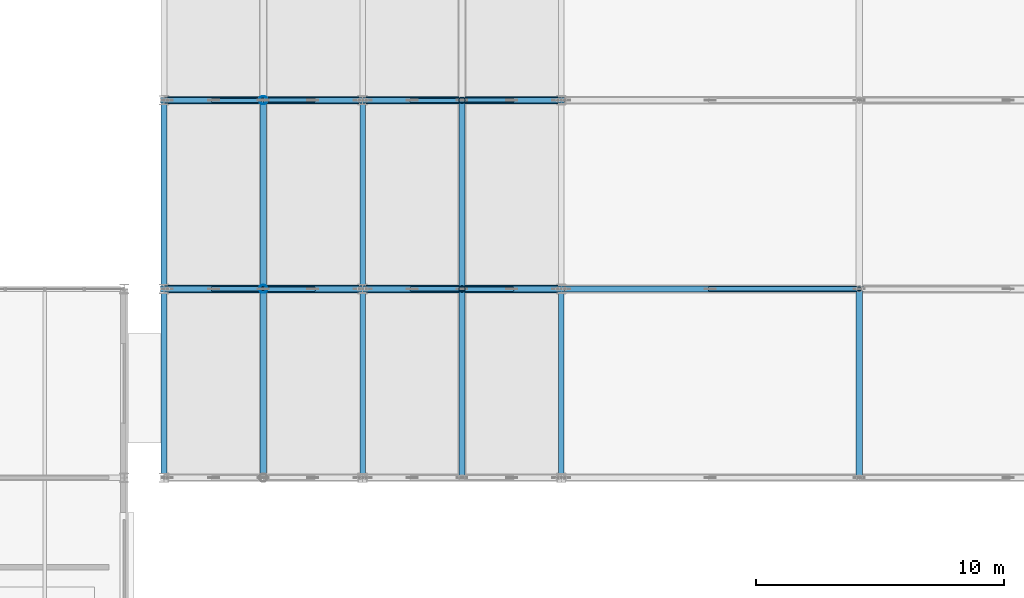
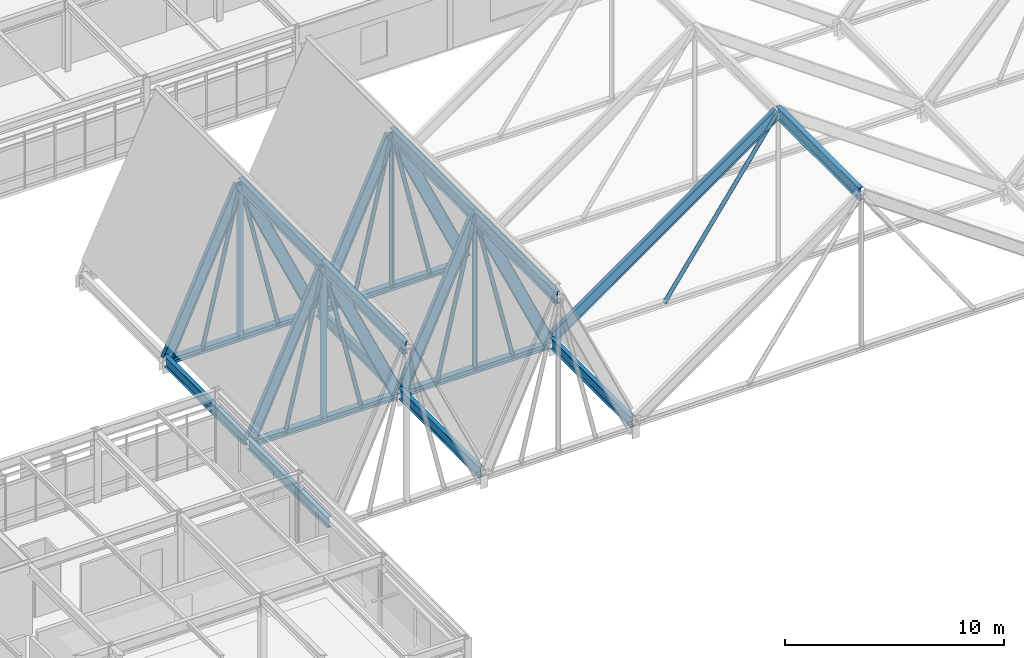
# One storey, part 38 of 85: 19 beams, 17 members.
"""IFC4 building model written with IfcOpenShell, lengths in metres."""

from ifc_helpers import new_model, si_unit, direction, frame, origin, origin_2d, place, context, subcontext, project, spatial, hollow_circle, i_section, extrude, material, material_profile, profile_set, type_object, element, save


model = new_model("IFC4")

# Units and contexts
model_context = context("Model", 3, precision=1e-05, world=origin(), true_north=direction((0.0, 1.0)))
body_context = subcontext(model_context, "Body", "Model", "MODEL_VIEW")
ifc_project = project(units=[si_unit("LENGTHUNIT", "METRE"), si_unit("AREAUNIT", "SQUARE_METRE"), si_unit("VOLUMEUNIT", "CUBIC_METRE"), si_unit("PLANEANGLEUNIT", "RADIAN"), si_unit("MASSUNIT", "GRAM", prefix="KILO")], contexts=[model_context])

# Site, building, storey
site_placement = place(None, origin())
site = spatial("IfcSite", under=ifc_project, at=site_placement, CompositionType="ELEMENT")
building_placement = place(site_placement, origin())
building = spatial("IfcBuilding", under=site, at=building_placement, Name="Zulena Civic Courthouse", CompositionType="ELEMENT")
storey_placement = place(building_placement, frame((0.0, 0.0, 25.199951171875)))
storey = spatial("IfcBuildingStorey", under=building, at=storey_placement, Name="L05", CompositionType="ELEMENT", Elevation=25.199951171875)

# Members
ifc_material_1 = material(Name="Steel ASTM A992 Grade 50", Category="steel")
ifc_material_profile_1 = material_profile(ifc_material_1, i_section(OverallWidth=0.30908203125, OverallDepth=0.322998046875, WebThickness=0.013916015625, FlangeThickness=0.02294921875, FilletRadius=0.01513671875, at=origin_2d()), Name="W12X96")
ifc_profile_set_1 = profile_set([ifc_material_profile_1], Name="Steel ASTM A992 Grade 50")
member_type_1 = type_object("IfcMemberType", Name="Chord_W12X96", PredefinedType="CHORD", material=ifc_profile_set_1)
for number, where, z_axis, x_axis, name in (
    (1, (68.139892578125, 22.800048828125, 0.343017578125), (1.0, 0.0, 0.0), (0.0, 1.0, 0.0), "mem:fold:tie:01:22.8"),
    (2, (68.139892578125, 30.39990234375, 0.343017578125), (1.0, 0.0, 0.0), (0.0, 1.0, 0.0), "mem:fold:tie:01:30.4"),
    (3, (76.139892578125, 22.800048828125, 0.343017578125), (1.0, 0.0, 0.0), (0.0, 1.0, 0.0), "mem:fold:tie:02:22.8"),
    (4, (76.139892578125, 30.39990234375, 0.343017578125), (1.0, 0.0, 0.0), (0.0, 1.0, 0.0), "mem:fold:tie:02:30.4"),
):
    element("IfcMember", number, at=place(storey_placement, frame(where, z_axis=z_axis, x_axis=x_axis)), inside=storey, type_object=member_type_1, Name=name, PredefinedType="CHORD", context=body_context, shape_type="SweptSolid", body=[
        extrude(i_section(OverallWidth=0.30908203125, OverallDepth=0.322998046875, WebThickness=0.013916015625, FlangeThickness=0.02294921875, FilletRadius=0.01513671875, at=origin_2d()), origin(), (0.0, 0.0, 1.0), 7.72021484375),
    ])

# Beams
ifc_material_profile_2 = material_profile(ifc_material_1, i_section(OverallWidth=0.22802734375, OverallDepth=0.60693359375, WebThickness=0.01123046875, FlangeThickness=0.017333984375, FilletRadius=0.0126953125, at=origin_2d()), Name="W24X76")
ifc_profile_set_2 = profile_set([ifc_material_profile_2], Name="Steel ASTM A992 Grade 50")
beam_type_1 = type_object("IfcBeamType", Name="RoofRafter_W24X76", PredefinedType="BEAM", material=ifc_profile_set_2)
for number, where, z_axis, x_axis, name in (
    (5, (68.139892578125, 22.800048828125, 0.5029296875), (0.416657439766, 0.0, 0.909063571973), (0.0, 1.0, 0.0), "beam:fold:rafW:01:22.8"),
    (6, (72.010009765625, 22.800048828125, 8.903076171875), (0.416657439766, 0.0, -0.909063571973), (0.0, 1.0, 0.0), "beam:fold:rafE:01:22.8"),
    (7, (68.139892578125, 30.39990234375, 0.5029296875), (0.416657439766, 0.0, 0.909063571973), (0.0, 1.0, 0.0), "beam:fold:rafW:01:30.4"),
    (8, (72.010009765625, 30.39990234375, 8.903076171875), (0.416657439766, 0.0, -0.909063571973), (0.0, 1.0, 0.0), "beam:fold:rafE:01:30.4"),
):
    element("IfcBeam", number, at=place(storey_placement, frame(where, z_axis=z_axis, x_axis=x_axis)), inside=storey, type_object=beam_type_1, Name=name, PredefinedType="BEAM", context=body_context, shape_type="SweptSolid", body=[
        extrude(i_section(OverallWidth=0.22802734375, OverallDepth=0.60693359375, WebThickness=0.01123046875, FlangeThickness=0.017333984375, FilletRadius=0.0126953125, at=origin_2d()), origin(), (0.0, 0.0, 1.0), 9.240478515625),
    ])
for number, where, z_axis, x_axis, name in (
    (9, (68.0, 15.340087890625, 0.5029296875), (0.0, 1.0, 0.0), (-1.0, 0.0, 0.0), "beam:fold:val:L05:68.0:15.2"),
    (10, (76.0, 15.340087890625, 0.5029296875), (0.0, 1.0, 0.0), (-1.0, 0.0, 0.0), "beam:fold:val:L05:76.0:15.2"),
):
    element("IfcBeam", number, at=place(storey_placement, frame(where, z_axis=z_axis, x_axis=x_axis)), inside=storey, type_object=beam_type_1, Name=name, PredefinedType="BEAM", context=body_context, shape_type="SweptSolid", body=[
        extrude(i_section(OverallWidth=0.22802734375, OverallDepth=0.60693359375, WebThickness=0.01123046875, FlangeThickness=0.017333984375, FilletRadius=0.0126953125, at=origin_2d()), origin(), (0.0, 0.0, 1.0), 7.31982421875),
    ])
for number, where, z_axis, x_axis, name in (
    (11, (68.0, 22.93994140625, 0.5029296875), (0.0, 1.0, 0.0), (-1.0, 0.0, 0.0), "beam:fold:val:L05:68.0:22.8"),
    (12, (76.0, 22.93994140625, 0.5029296875), (0.0, 1.0, 0.0), (-1.0, 0.0, 0.0), "beam:fold:val:L05:76.0:22.8"),
):
    element("IfcBeam", number, at=place(storey_placement, frame(where, z_axis=z_axis, x_axis=x_axis)), inside=storey, type_object=beam_type_1, Name=name, PredefinedType="BEAM", context=body_context, shape_type="SweptSolid", body=[
        extrude(i_section(OverallWidth=0.22802734375, OverallDepth=0.60693359375, WebThickness=0.01123046875, FlangeThickness=0.017333984375, FilletRadius=0.0126953125, at=origin_2d()), origin(), (0.0, 0.0, 1.0), 7.320068359375),
    ])
for number, where, z_axis, x_axis, name in (
    (13, (76.139892578125, 22.800048828125, 0.5029296875), (0.416657439766, 0.0, 0.909063571973), (0.0, 1.0, 0.0), "beam:fold:rafW:02:22.8"),
    (14, (80.010009765625, 22.800048828125, 8.903076171875), (0.416657439766, 0.0, -0.909063571973), (0.0, 1.0, 0.0), "beam:fold:rafE:02:22.8"),
    (15, (76.139892578125, 30.39990234375, 0.5029296875), (0.416657439766, 0.0, 0.909063571973), (0.0, 1.0, 0.0), "beam:fold:rafW:02:30.4"),
    (16, (80.010009765625, 30.39990234375, 8.903076171875), (0.416657439766, 0.0, -0.909063571973), (0.0, 1.0, 0.0), "beam:fold:rafE:02:30.4"),
):
    element("IfcBeam", number, at=place(storey_placement, frame(where, z_axis=z_axis, x_axis=x_axis)), inside=storey, type_object=beam_type_1, Name=name, PredefinedType="BEAM", context=body_context, shape_type="SweptSolid", body=[
        extrude(i_section(OverallWidth=0.22802734375, OverallDepth=0.60693359375, WebThickness=0.01123046875, FlangeThickness=0.017333984375, FilletRadius=0.0126953125, at=origin_2d()), origin(), (0.0, 0.0, 1.0), 9.240478515625),
    ])
beam_1_placement = place(storey_placement, frame((84.0, 15.340087890625, 0.5029296875), z_axis=(0.0, 1.0, 0.0), x_axis=(-1.0, 0.0, 0.0)))
element("IfcBeam", 17, at=beam_1_placement, inside=storey, type_object=beam_type_1, Name="beam:fold:val:L05:84.0:15.2", PredefinedType="BEAM", context=body_context, shape_type="SweptSolid", body=[
    extrude(i_section(OverallWidth=0.22802734375, OverallDepth=0.60693359375, WebThickness=0.01123046875, FlangeThickness=0.017333984375, FilletRadius=0.0126953125, at=origin_2d()), origin(), (0.0, 0.0, 1.0), 7.31982421875),
])
beam_2_placement = place(storey_placement, frame((84.139892578125, 22.800048828125, 0.696533203125), z_axis=(0.815826895682, 0.0, 0.578296183873), x_axis=(0.0, 1.0, 0.0)))
element("IfcBeam", 18, at=beam_2_placement, inside=storey, type_object=beam_type_1, Name="beam:fold:rafW:03:22.8", PredefinedType="BEAM", context=body_context, shape_type="SweptSolid", body=[
    extrude(i_section(OverallWidth=0.22802734375, OverallDepth=0.60693359375, WebThickness=0.01123046875, FlangeThickness=0.017333984375, FilletRadius=0.0126953125, at=origin_2d()), origin(), (0.0, 0.0, 1.0), 14.525146484375),
])
ifc_material_profile_3 = material_profile(ifc_material_1, i_section(OverallWidth=0.25390625, OverallDepth=0.68798828125, WebThickness=0.01318359375, FlangeThickness=0.02099609375, FilletRadius=0.0166015625, at=origin_2d()), Name="W27X102")
ifc_profile_set_3 = profile_set([ifc_material_profile_3], Name="Steel ASTM A992 Grade 50")
beam_type_2 = type_object("IfcBeamType", Name="RoofRafter_W27X102", PredefinedType="BEAM", material=ifc_profile_set_3)
beam_3_placement = place(storey_placement, frame((72.0, 15.219970703125, 8.903076171875), z_axis=(0.0, 1.0, 0.0), x_axis=(-1.0, 0.0, 0.0)))
element("IfcBeam", 19, at=beam_3_placement, inside=storey, type_object=beam_type_2, Name="beam:fold:ridge:01:15.2", PredefinedType="BEAM", context=body_context, shape_type="SweptSolid", body=[
    extrude(i_section(OverallWidth=0.25390625, OverallDepth=0.68798828125, WebThickness=0.01318359375, FlangeThickness=0.02099609375, FilletRadius=0.0166015625, at=origin_2d()), origin(), (0.0, 0.0, 1.0), 7.56005859375),
])
beam_4_placement = place(storey_placement, frame((72.0, 22.820068359375, 8.903076171875), z_axis=(0.0, 1.0, 0.0), x_axis=(-1.0, 0.0, 0.0)))
element("IfcBeam", 20, at=beam_4_placement, inside=storey, type_object=beam_type_2, Name="beam:fold:ridge:01:22.8", PredefinedType="BEAM", context=body_context, shape_type="SweptSolid", body=[
    extrude(i_section(OverallWidth=0.25390625, OverallDepth=0.68798828125, WebThickness=0.01318359375, FlangeThickness=0.02099609375, FilletRadius=0.0166015625, at=origin_2d()), origin(), (0.0, 0.0, 1.0), 7.559814453125),
])
beam_5_placement = place(storey_placement, frame((80.0, 15.219970703125, 8.903076171875), z_axis=(0.0, 1.0, 0.0), x_axis=(-1.0, 0.0, 0.0)))
element("IfcBeam", 21, at=beam_5_placement, inside=storey, type_object=beam_type_2, Name="beam:fold:ridge:02:15.2", PredefinedType="BEAM", context=body_context, shape_type="SweptSolid", body=[
    extrude(i_section(OverallWidth=0.25390625, OverallDepth=0.68798828125, WebThickness=0.01318359375, FlangeThickness=0.02099609375, FilletRadius=0.0166015625, at=origin_2d()), origin(), (0.0, 0.0, 1.0), 7.56005859375),
])
beam_6_placement = place(storey_placement, frame((80.0, 22.820068359375, 8.903076171875), z_axis=(0.0, 1.0, 0.0), x_axis=(-1.0, 0.0, 0.0)))
element("IfcBeam", 22, at=beam_6_placement, inside=storey, type_object=beam_type_2, Name="beam:fold:ridge:02:22.8", PredefinedType="BEAM", context=body_context, shape_type="SweptSolid", body=[
    extrude(i_section(OverallWidth=0.25390625, OverallDepth=0.68798828125, WebThickness=0.01318359375, FlangeThickness=0.02099609375, FilletRadius=0.0166015625, at=origin_2d()), origin(), (0.0, 0.0, 1.0), 7.559814453125),
])
beam_7_placement = place(storey_placement, frame((96.0, 15.219970703125, 9.096435546875), z_axis=(0.0, 1.0, 0.0), x_axis=(-1.0, 0.0, 0.0)))
element("IfcBeam", 23, at=beam_7_placement, inside=storey, type_object=beam_type_2, Name="beam:fold:ridge:03:15.2", PredefinedType="BEAM", context=body_context, shape_type="SweptSolid", body=[
    extrude(i_section(OverallWidth=0.25390625, OverallDepth=0.68798828125, WebThickness=0.01318359375, FlangeThickness=0.02099609375, FilletRadius=0.0166015625, at=origin_2d()), origin(), (0.0, 0.0, 1.0), 7.56005859375),
])

# Members
ifc_material_2 = material(Name="Steel ASTM A500 Grade C", Category="steel")
ifc_material_profile_4 = material_profile(ifc_material_2, hollow_circle(Radius=0.126953125, WallThickness=0.01171875, at=origin_2d()), Name="HSS10.000X0.500")
ifc_profile_set_4 = profile_set([ifc_material_profile_4], Name="Steel ASTM A500 Grade C")
member_type_2 = type_object("IfcMemberType", Name="RoofWeb_CHS10", PredefinedType="USERDEFINED", material=ifc_profile_set_4)
for number, where, z_axis, x_axis, name in (
    (24, (80.0, 22.800048828125, 0.343017578125), (0.0, 0.0, 1.0), (1.0, 0.0, 0.0), "mem:fold:king:02:22.8"),
    (25, (80.0, 30.39990234375, 0.343017578125), (0.0, 0.0, 1.0), (1.0, 0.0, 0.0), "mem:fold:king:02:30.4"),
):
    element("IfcMember", number, at=place(storey_placement, frame(where, z_axis=z_axis, x_axis=x_axis)), inside=storey, type_object=member_type_2, Name=name, ObjectType="ROOF TRUSS", PredefinedType="USERDEFINED", context=body_context, shape_type="SweptSolid", body=[
        extrude(hollow_circle(Radius=0.126953125, WallThickness=0.01171875, at=origin_2d()), origin(), (0.0, 0.0, 1.0), 8.56005859375),
    ])
ifc_material_profile_5 = material_profile(ifc_material_2, hollow_circle(Radius=0.162109375, WallThickness=0.01171875, at=origin_2d()), Name="HSS12.750X0.500")
ifc_profile_set_5 = profile_set([ifc_material_profile_5], Name="Steel ASTM A500 Grade C")
member_type_3 = type_object("IfcMemberType", Name="RoofWeb_CHS12", PredefinedType="USERDEFINED", material=ifc_profile_set_5)
for number, where, z_axis, x_axis, name in (
    (26, (72.0, 22.800048828125, 0.343017578125), (0.0, 0.0, 1.0), (1.0, 0.0, 0.0), "mem:fold:king:01:22.8"),
    (27, (72.0, 30.39990234375, 0.343017578125), (0.0, 0.0, 1.0), (1.0, 0.0, 0.0), "mem:fold:king:01:30.4"),
):
    element("IfcMember", number, at=place(storey_placement, frame(where, z_axis=z_axis, x_axis=x_axis)), inside=storey, type_object=member_type_3, Name=name, ObjectType="ROOF TRUSS", PredefinedType="USERDEFINED", context=body_context, shape_type="SweptSolid", body=[
        extrude(hollow_circle(Radius=0.162109375, WallThickness=0.01171875, at=origin_2d()), origin(), (0.0, 0.0, 1.0), 8.56005859375),
    ])
ifc_material_profile_6 = material_profile(ifc_material_2, hollow_circle(Radius=0.109619140625, WallThickness=0.0087890625, at=origin_2d()), Name="HSS8.625X0.375")
ifc_profile_set_6 = profile_set([ifc_material_profile_6], Name="Steel ASTM A500 Grade C")
member_type_4 = type_object("IfcMemberType", Name="RoofWeb_CHS8", PredefinedType="USERDEFINED", material=ifc_profile_set_6)
for number, where, z_axis, x_axis, name in (
    (28, (70.0, 22.800048828125, 0.343017578125), (0.227515822053, 0.0, 0.973774383888), (0.0, 1.0, 0.0), "mem:fold:diagW:01:22.8"),
    (29, (74.0, 22.800048828125, 0.343017578125), (-0.227515822053, 0.0, 0.973774383888), (0.0, -1.0, 0.0), "mem:fold:diagE:01:22.8"),
    (30, (70.0, 30.39990234375, 0.343017578125), (0.227515822053, 0.0, 0.973774383888), (0.0, 1.0, 0.0), "mem:fold:diagW:01:30.4"),
    (31, (74.0, 30.39990234375, 0.343017578125), (-0.227515822053, 0.0, 0.973774383888), (0.0, -1.0, 0.0), "mem:fold:diagE:01:30.4"),
    (32, (78.0, 22.800048828125, 0.343017578125), (0.227515822053, 0.0, 0.973774383888), (0.0, 1.0, 0.0), "mem:fold:diagW:02:22.8"),
    (33, (82.0, 22.800048828125, 0.343017578125), (-0.227515822053, 0.0, 0.973774383888), (0.0, -1.0, 0.0), "mem:fold:diagE:02:22.8"),
    (34, (78.0, 30.39990234375, 0.343017578125), (0.227515822053, 0.0, 0.973774383888), (0.0, 1.0, 0.0), "mem:fold:diagW:02:30.4"),
    (35, (82.0, 30.39990234375, 0.343017578125), (-0.227515822053, 0.0, 0.973774383888), (0.0, -1.0, 0.0), "mem:fold:diagE:02:30.4"),
):
    element("IfcMember", number, at=place(storey_placement, frame(where, z_axis=z_axis, x_axis=x_axis)), inside=storey, type_object=member_type_4, Name=name, ObjectType="ROOF TRUSS", PredefinedType="USERDEFINED", context=body_context, shape_type="SweptSolid", body=[
        extrude(hollow_circle(Radius=0.109619140625, WallThickness=0.0087890625, at=origin_2d()), origin(), (0.0, 0.0, 1.0), 8.79052734375),
    ])
member_placement = place(storey_placement, frame((90.0, 22.800048828125, 0.536376953125), z_axis=(0.573973222061, 0.0, 0.81887406868), x_axis=(0.0, 1.0, 0.0)))
element("IfcMember", 36, at=member_placement, inside=storey, type_object=member_type_4, Name="mem:fold:diagW:03:22.8", ObjectType="ROOF TRUSS", PredefinedType="USERDEFINED", context=body_context, shape_type="SweptSolid", body=[
    extrude(hollow_circle(Radius=0.109619140625, WallThickness=0.0087890625, at=origin_2d()), origin(), (0.0, 0.0, 1.0), 10.453369140625),
])

save(model, "model.ifc")
